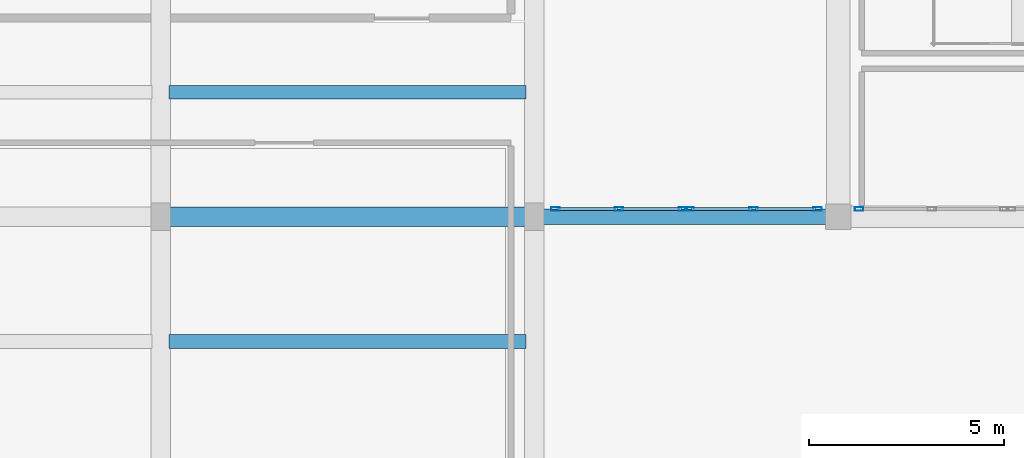
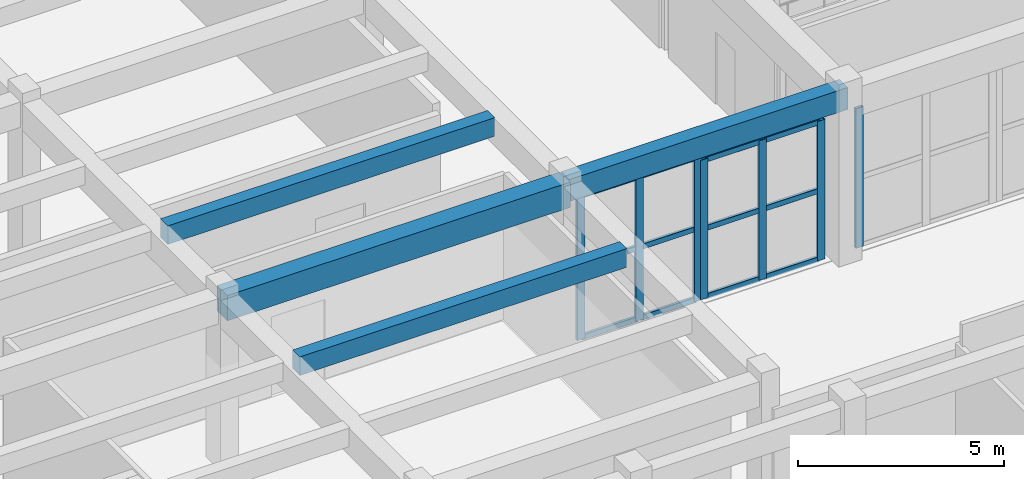
# One storey, part 18 of 98: 19 members, 4 beams, 3 elements without a shape of their own.
"""IFC4 building model written with IfcOpenShell, lengths in metres."""

from ifc_helpers import new_model, si_unit, direction, frame, origin, origin_2d, place, context, subcontext, project, spatial, rectangle, hollow_rectangle, extrude, material, layer, layer_set, material_profile, profile_set, type_object, element, aggregate, save


model = new_model("IFC4")

# Units and contexts
model_context = context("Model", 3, precision=1e-05, world=origin(), true_north=direction((0.0, 1.0)))
body_context = subcontext(model_context, "Body", "Model", "MODEL_VIEW")
ifc_project = project(units=[si_unit("LENGTHUNIT", "METRE"), si_unit("AREAUNIT", "SQUARE_METRE"), si_unit("VOLUMEUNIT", "CUBIC_METRE"), si_unit("PLANEANGLEUNIT", "RADIAN"), si_unit("MASSUNIT", "GRAM", prefix="KILO")], contexts=[model_context])

# Site, building, storey
site_placement = place(None, origin())
site = spatial("IfcSite", under=ifc_project, at=site_placement, CompositionType="ELEMENT")
building_placement = place(site_placement, origin())
building = spatial("IfcBuilding", under=site, at=building_placement, Name="Tarnavel Promenade Courthouse", CompositionType="ELEMENT")
storey_placement = place(building_placement, origin())
storey = spatial("IfcBuildingStorey", under=building, at=storey_placement, Name="L01", CompositionType="ELEMENT", Elevation=0.0)

# Beams
ifc_material_1 = material(Name="Concrete C40/50", Category="concrete")
ifc_material_profile_1 = material_profile(ifc_material_1, rectangle(XDim=0.35009765625, YDim=0.550048828125, at=origin_2d()), Name="PT 350x550")
ifc_profile_set_1 = profile_set([ifc_material_profile_1], Name="Concrete C40/50")
beam_type_1 = type_object("IfcBeamType", Name="Concrete C40/50 BM-PT-350x550 (PT 350x550)", PredefinedType="JOIST", material=ifc_profile_set_1)
for number, where, z_axis, x_axis, name in (
    (1, (29.02001953125, 43.60009765625, 4.820068359375), (1.0, 0.0, 0.0), (0.0, 1.0, 0.0), "L01 Secondary Floor Rib 0916"),
    (2, (29.02001953125, 50.0, 4.820068359375), (1.0, 0.0, 0.0), (0.0, 1.0, 0.0), "L01 Secondary Floor Rib 0919"),
):
    element("IfcBeam", number, at=place(storey_placement, frame(where, z_axis=z_axis, x_axis=x_axis)), inside=storey, type_object=beam_type_1, Name=name, PredefinedType="JOIST", context=body_context, shape_type="SweptSolid", body=[
        extrude(rectangle(XDim=0.35009765625, YDim=0.550048828125, at=origin_2d()), origin(), (0.0, 0.0, 1.0), 9.159912109375),
    ])
ifc_material_profile_2 = material_profile(ifc_material_1, rectangle(XDim=0.39990234375, YDim=0.64990234375, at=origin_2d()), Name="RC 400x650")
ifc_profile_set_2 = profile_set([ifc_material_profile_2], Name="Concrete C40/50")
beam_type_2 = type_object("IfcBeamType", Name="Concrete C40/50 BM-RC-400x650 (RC 400x650)", PredefinedType="BEAM", material=ifc_profile_set_2)
beam_1_placement = place(storey_placement, frame((38.39990234375, 46.800048828125, 4.81005859375), z_axis=(1.0, 0.0, 0.0), x_axis=(0.0, 1.0, 0.0)))
element("IfcBeam", 3, at=beam_1_placement, inside=storey, type_object=beam_type_2, Name="L01 Primary Longitudinal Beam 0618", PredefinedType="BEAM", context=body_context, shape_type="SweptSolid", body=[
    extrude(rectangle(XDim=0.39990234375, YDim=0.64990234375, at=origin_2d()), origin(), (0.0, 0.0, 1.0), 7.800048828125),
])
ifc_material_profile_3 = material_profile(ifc_material_1, rectangle(XDim=0.5, YDim=0.75, at=origin_2d()), Name="RC 500x750")
ifc_profile_set_3 = profile_set([ifc_material_profile_3], Name="Concrete C40/50")
beam_type_3 = type_object("IfcBeamType", Name="Concrete C40/50 BM-RC-500x750 (RC 500x750)", PredefinedType="T_BEAM", material=ifc_profile_set_3)
beam_2_placement = place(storey_placement, frame((28.800048828125, 46.800048828125, 4.719970703125), z_axis=(1.0, 0.0, 0.0), x_axis=(0.0, 1.0, 0.0)))
element("IfcBeam", 4, at=beam_2_placement, inside=storey, type_object=beam_type_3, Name="L01 Primary Longitudinal Beam 0617", PredefinedType="T_BEAM", context=body_context, shape_type="SweptSolid", body=[
    extrude(rectangle(XDim=0.5, YDim=0.75, at=origin_2d()), origin(), (0.0, 0.0, 1.0), 9.599853515625),
])

# Curtain wall, members
ifc_material_2 = material(Name="Thermally Broken Anodised Aluminium Curtain Wall System", Category="aluminium")
ifc_layer = layer(ifc_material_2, 0.239990234375)
ifc_layer_set = layer_set([ifc_layer], Name="Thermally Broken Anodised Aluminium Curtain Wall System")
curtain_wall_type = type_object("IfcCurtainWallType", Name="Thermally Broken Aluminium Triple-Glazed Curtain Wall CW-WG-S", PredefinedType="NOTDEFINED", material=ifc_layer_set)
curtain_wall_1_placement = place(storey_placement, origin())
curtain_wall_1 = element("IfcCurtainWall", 5, at=curtain_wall_1_placement, inside=storey, type_object=curtain_wall_type, Name="L01 Winter-Garden South Solar Curtain Wall 042", PredefinedType="NOTDEFINED")
ifc_material_3 = material(Name="Thermally Broken Anodised Aluminium Frame", Category="aluminium")
ifc_material_profile_4 = material_profile(ifc_material_3, hollow_rectangle(XDim=0.090087890625, YDim=0.219970703125, WallThickness=0.0048828125, InnerFilletRadius=0.0048828125, OuterFilletRadius=0.010009765625, at=origin_2d()), Name="CWM 220x90x5")
ifc_profile_set_4 = profile_set([ifc_material_profile_4], Name="Thermally Broken Anodised Aluminium Frame")
member_type_1 = type_object("IfcMemberType", Name="Thermally Broken Anodised Aluminium CWM-175 (CWM 220x90x5)", PredefinedType="MULLION", material=ifc_profile_set_4)
member_1_placement = place(storey_placement, frame((38.93505859375, 47.0, 0.0), z_axis=(0.0, 0.0, 1.0), x_axis=(0.0, 1.0, 0.0)))
member_1 = element("IfcMember", 6, at=member_1_placement, type_object=member_type_1, Name="CW-02 mullion 1", PredefinedType="MULLION", context=body_context, shape_type="SweptSolid", body=[
    extrude(hollow_rectangle(XDim=0.090087890625, YDim=0.219970703125, WallThickness=0.0048828125, InnerFilletRadius=0.0048828125, OuterFilletRadius=0.010009765625, at=origin_2d()), origin(), (0.0, 0.0, 1.0), 4.280029296875),
])
member_2_placement = place(storey_placement, frame((40.574951171875, 47.0, 0.0), z_axis=(0.0, 0.0, 1.0), x_axis=(0.0, 1.0, 0.0)))
member_2 = element("IfcMember", 7, at=member_2_placement, type_object=member_type_1, Name="CW-02 mullion 2", PredefinedType="MULLION", context=body_context, shape_type="SweptSolid", body=[
    extrude(hollow_rectangle(XDim=0.090087890625, YDim=0.219970703125, WallThickness=0.0048828125, InnerFilletRadius=0.0048828125, OuterFilletRadius=0.010009765625, at=origin_2d()), origin(), (0.0, 0.0, 1.0), 4.280029296875),
])
member_3_placement = place(storey_placement, frame((42.215087890625, 47.0, 0.0), z_axis=(0.0, 0.0, 1.0), x_axis=(0.0, 1.0, 0.0)))
member_3 = element("IfcMember", 8, at=member_3_placement, type_object=member_type_1, Name="CW-02 mullion 3", PredefinedType="MULLION", context=body_context, shape_type="SweptSolid", body=[
    extrude(hollow_rectangle(XDim=0.090087890625, YDim=0.219970703125, WallThickness=0.0048828125, InnerFilletRadius=0.0048828125, OuterFilletRadius=0.010009765625, at=origin_2d()), origin(), (0.0, 0.0, 1.0), 4.280029296875),
])

curtain_wall_2_placement = place(storey_placement, origin())
curtain_wall_2 = element("IfcCurtainWall", 9, at=curtain_wall_2_placement, inside=storey, type_object=curtain_wall_type, Name="L01 Winter-Garden South Solar Curtain Wall 043", PredefinedType="NOTDEFINED")
member_4_placement = place(storey_placement, frame((42.385009765625, 47.0, 0.0), z_axis=(0.0, 0.0, 1.0), x_axis=(0.0, 1.0, 0.0)))
member_4 = element("IfcMember", 10, at=member_4_placement, type_object=member_type_1, Name="CW-02 mullion 1", PredefinedType="MULLION", context=body_context, shape_type="SweptSolid", body=[
    extrude(hollow_rectangle(XDim=0.090087890625, YDim=0.219970703125, WallThickness=0.0048828125, InnerFilletRadius=0.0048828125, OuterFilletRadius=0.010009765625, at=origin_2d()), origin(), (0.0, 0.0, 1.0), 4.1298828125),
])
member_5_placement = place(storey_placement, frame((44.02490234375, 47.0, 0.0), z_axis=(0.0, 0.0, 1.0), x_axis=(0.0, 1.0, 0.0)))
member_5 = element("IfcMember", 11, at=member_5_placement, type_object=member_type_1, Name="CW-02 mullion 2", PredefinedType="MULLION", context=body_context, shape_type="SweptSolid", body=[
    extrude(hollow_rectangle(XDim=0.090087890625, YDim=0.219970703125, WallThickness=0.0048828125, InnerFilletRadius=0.0048828125, OuterFilletRadius=0.010009765625, at=origin_2d()), origin(), (0.0, 0.0, 1.0), 4.1298828125),
])
member_6_placement = place(storey_placement, frame((45.6650390625, 47.0, 0.0), z_axis=(0.0, 0.0, 1.0), x_axis=(0.0, 1.0, 0.0)))
member_6 = element("IfcMember", 12, at=member_6_placement, type_object=member_type_1, Name="CW-02 mullion 3", PredefinedType="MULLION", context=body_context, shape_type="SweptSolid", body=[
    extrude(hollow_rectangle(XDim=0.090087890625, YDim=0.219970703125, WallThickness=0.0048828125, InnerFilletRadius=0.0048828125, OuterFilletRadius=0.010009765625, at=origin_2d()), origin(), (0.0, 0.0, 1.0), 4.1298828125),
])

# Curtain wall, member
curtain_wall_3_placement = place(storey_placement, origin())
curtain_wall_3 = element("IfcCurtainWall", 13, at=curtain_wall_3_placement, inside=storey, type_object=curtain_wall_type, Name="L01 Winter-Garden South Solar Curtain Wall 044", PredefinedType="NOTDEFINED")
member_7_placement = place(storey_placement, frame((46.735107421875, 47.0, 0.0), z_axis=(0.0, 0.0, 1.0), x_axis=(0.0, 1.0, 0.0)))
member_7 = element("IfcMember", 14, at=member_7_placement, type_object=member_type_1, Name="CW-02 mullion 1", PredefinedType="MULLION", context=body_context, shape_type="SweptSolid", body=[
    extrude(hollow_rectangle(XDim=0.090087890625, YDim=0.219970703125, WallThickness=0.0048828125, InnerFilletRadius=0.0048828125, OuterFilletRadius=0.010009765625, at=origin_2d()), origin(), (0.0, 0.0, 1.0), 4.1298828125),
])
aggregate(curtain_wall_3, [member_7])

# Member
ifc_material_profile_5 = material_profile(ifc_material_3, hollow_rectangle(XDim=0.080078125, YDim=0.159912109375, WallThickness=0.0048828125, InnerFilletRadius=0.0048828125, OuterFilletRadius=0.010009765625, at=origin_2d()), Name="CWT 160x80x5")
ifc_profile_set_5 = profile_set([ifc_material_profile_5], Name="Thermally Broken Anodised Aluminium Frame")
member_type_2 = type_object("IfcMemberType", Name="Thermally Broken Anodised Aluminium CWT-145 (CWT 160x80x5)", PredefinedType="USERDEFINED", material=ifc_profile_set_5)
member_8_placement = place(storey_placement, frame((38.97998046875, 47.0, 0.0400390625), z_axis=(1.0, 0.0, 0.0), x_axis=(0.0, 1.0, 0.0)))
member_8 = element("IfcMember", 15, at=member_8_placement, type_object=member_type_2, Name="CW-02 transom 1.1", ObjectType="TRANSOM", PredefinedType="USERDEFINED", context=body_context, shape_type="SweptSolid", body=[
    extrude(hollow_rectangle(XDim=0.080078125, YDim=0.159912109375, WallThickness=0.0048828125, InnerFilletRadius=0.0048828125, OuterFilletRadius=0.010009765625, at=origin_2d()), origin(), (0.0, 0.0, 1.0), 1.550048828125),
])

member_9_placement = place(storey_placement, frame((38.97998046875, 47.0, 2.139892578125), z_axis=(1.0, 0.0, 0.0), x_axis=(0.0, 1.0, 0.0)))
member_9 = element("IfcMember", 16, at=member_9_placement, type_object=member_type_2, Name="CW-02 transom 1.2", ObjectType="TRANSOM", PredefinedType="USERDEFINED", context=body_context, shape_type="SweptSolid", body=[
    extrude(hollow_rectangle(XDim=0.080078125, YDim=0.159912109375, WallThickness=0.0048828125, InnerFilletRadius=0.0048828125, OuterFilletRadius=0.010009765625, at=origin_2d()), origin(), (0.0, 0.0, 1.0), 1.550048828125),
])

member_10_placement = place(storey_placement, frame((38.97998046875, 47.0, 4.239990234375), z_axis=(1.0, 0.0, 0.0), x_axis=(0.0, 1.0, 0.0)))
member_10 = element("IfcMember", 17, at=member_10_placement, type_object=member_type_2, Name="CW-02 transom 1.3", ObjectType="TRANSOM", PredefinedType="USERDEFINED", context=body_context, shape_type="SweptSolid", body=[
    extrude(hollow_rectangle(XDim=0.080078125, YDim=0.159912109375, WallThickness=0.0048828125, InnerFilletRadius=0.0048828125, OuterFilletRadius=0.010009765625, at=origin_2d()), origin(), (0.0, 0.0, 1.0), 1.550048828125),
])

member_11_placement = place(storey_placement, frame((40.6201171875, 47.0, 0.0400390625), z_axis=(1.0, 0.0, 0.0), x_axis=(0.0, 1.0, 0.0)))
member_11 = element("IfcMember", 18, at=member_11_placement, type_object=member_type_2, Name="CW-02 transom 2.1", ObjectType="TRANSOM", PredefinedType="USERDEFINED", context=body_context, shape_type="SweptSolid", body=[
    extrude(hollow_rectangle(XDim=0.080078125, YDim=0.159912109375, WallThickness=0.0048828125, InnerFilletRadius=0.0048828125, OuterFilletRadius=0.010009765625, at=origin_2d()), origin(), (0.0, 0.0, 1.0), 1.5498046875),
])

member_12_placement = place(storey_placement, frame((40.6201171875, 47.0, 2.139892578125), z_axis=(1.0, 0.0, 0.0), x_axis=(0.0, 1.0, 0.0)))
member_12 = element("IfcMember", 19, at=member_12_placement, type_object=member_type_2, Name="CW-02 transom 2.2", ObjectType="TRANSOM", PredefinedType="USERDEFINED", context=body_context, shape_type="SweptSolid", body=[
    extrude(hollow_rectangle(XDim=0.080078125, YDim=0.159912109375, WallThickness=0.0048828125, InnerFilletRadius=0.0048828125, OuterFilletRadius=0.010009765625, at=origin_2d()), origin(), (0.0, 0.0, 1.0), 1.5498046875),
])

member_13_placement = place(storey_placement, frame((40.6201171875, 47.0, 4.239990234375), z_axis=(1.0, 0.0, 0.0), x_axis=(0.0, 1.0, 0.0)))
member_13 = element("IfcMember", 20, at=member_13_placement, type_object=member_type_2, Name="CW-02 transom 2.3", ObjectType="TRANSOM", PredefinedType="USERDEFINED", context=body_context, shape_type="SweptSolid", body=[
    extrude(hollow_rectangle(XDim=0.080078125, YDim=0.159912109375, WallThickness=0.0048828125, InnerFilletRadius=0.0048828125, OuterFilletRadius=0.010009765625, at=origin_2d()), origin(), (0.0, 0.0, 1.0), 1.5498046875),
])

aggregate(curtain_wall_1, [member_1, member_2, member_3, member_8, member_9, member_10, member_11, member_12, member_13])

member_14_placement = place(storey_placement, frame((42.429931640625, 47.0, 0.0400390625), z_axis=(1.0, 0.0, 0.0), x_axis=(0.0, 1.0, 0.0)))
member_14 = element("IfcMember", 21, at=member_14_placement, type_object=member_type_2, Name="CW-02 transom 1.1", ObjectType="TRANSOM", PredefinedType="USERDEFINED", context=body_context, shape_type="SweptSolid", body=[
    extrude(hollow_rectangle(XDim=0.080078125, YDim=0.159912109375, WallThickness=0.0048828125, InnerFilletRadius=0.0048828125, OuterFilletRadius=0.010009765625, at=origin_2d()), origin(), (0.0, 0.0, 1.0), 1.550048828125),
])

member_15_placement = place(storey_placement, frame((42.429931640625, 47.0, 2.06494140625), z_axis=(1.0, 0.0, 0.0), x_axis=(0.0, 1.0, 0.0)))
member_15 = element("IfcMember", 22, at=member_15_placement, type_object=member_type_2, Name="CW-02 transom 1.2", ObjectType="TRANSOM", PredefinedType="USERDEFINED", context=body_context, shape_type="SweptSolid", body=[
    extrude(hollow_rectangle(XDim=0.080078125, YDim=0.159912109375, WallThickness=0.0048828125, InnerFilletRadius=0.0048828125, OuterFilletRadius=0.010009765625, at=origin_2d()), origin(), (0.0, 0.0, 1.0), 1.550048828125),
])

member_16_placement = place(storey_placement, frame((42.429931640625, 47.0, 4.090087890625), z_axis=(1.0, 0.0, 0.0), x_axis=(0.0, 1.0, 0.0)))
member_16 = element("IfcMember", 23, at=member_16_placement, type_object=member_type_2, Name="CW-02 transom 1.3", ObjectType="TRANSOM", PredefinedType="USERDEFINED", context=body_context, shape_type="SweptSolid", body=[
    extrude(hollow_rectangle(XDim=0.080078125, YDim=0.159912109375, WallThickness=0.0048828125, InnerFilletRadius=0.0048828125, OuterFilletRadius=0.010009765625, at=origin_2d()), origin(), (0.0, 0.0, 1.0), 1.550048828125),
])

member_17_placement = place(storey_placement, frame((44.070068359375, 47.0, 0.0400390625), z_axis=(1.0, 0.0, 0.0), x_axis=(0.0, 1.0, 0.0)))
member_17 = element("IfcMember", 24, at=member_17_placement, type_object=member_type_2, Name="CW-02 transom 2.1", ObjectType="TRANSOM", PredefinedType="USERDEFINED", context=body_context, shape_type="SweptSolid", body=[
    extrude(hollow_rectangle(XDim=0.080078125, YDim=0.159912109375, WallThickness=0.0048828125, InnerFilletRadius=0.0048828125, OuterFilletRadius=0.010009765625, at=origin_2d()), origin(), (0.0, 0.0, 1.0), 1.550048828125),
])

member_18_placement = place(storey_placement, frame((44.070068359375, 47.0, 2.06494140625), z_axis=(1.0, 0.0, 0.0), x_axis=(0.0, 1.0, 0.0)))
member_18 = element("IfcMember", 25, at=member_18_placement, type_object=member_type_2, Name="CW-02 transom 2.2", ObjectType="TRANSOM", PredefinedType="USERDEFINED", context=body_context, shape_type="SweptSolid", body=[
    extrude(hollow_rectangle(XDim=0.080078125, YDim=0.159912109375, WallThickness=0.0048828125, InnerFilletRadius=0.0048828125, OuterFilletRadius=0.010009765625, at=origin_2d()), origin(), (0.0, 0.0, 1.0), 1.550048828125),
])

member_19_placement = place(storey_placement, frame((44.070068359375, 47.0, 4.090087890625), z_axis=(1.0, 0.0, 0.0), x_axis=(0.0, 1.0, 0.0)))
member_19 = element("IfcMember", 26, at=member_19_placement, type_object=member_type_2, Name="CW-02 transom 2.3", ObjectType="TRANSOM", PredefinedType="USERDEFINED", context=body_context, shape_type="SweptSolid", body=[
    extrude(hollow_rectangle(XDim=0.080078125, YDim=0.159912109375, WallThickness=0.0048828125, InnerFilletRadius=0.0048828125, OuterFilletRadius=0.010009765625, at=origin_2d()), origin(), (0.0, 0.0, 1.0), 1.550048828125),
])

aggregate(curtain_wall_2, [member_4, member_5, member_6, member_14, member_15, member_16, member_17, member_18, member_19])

save(model, "model.ifc")
